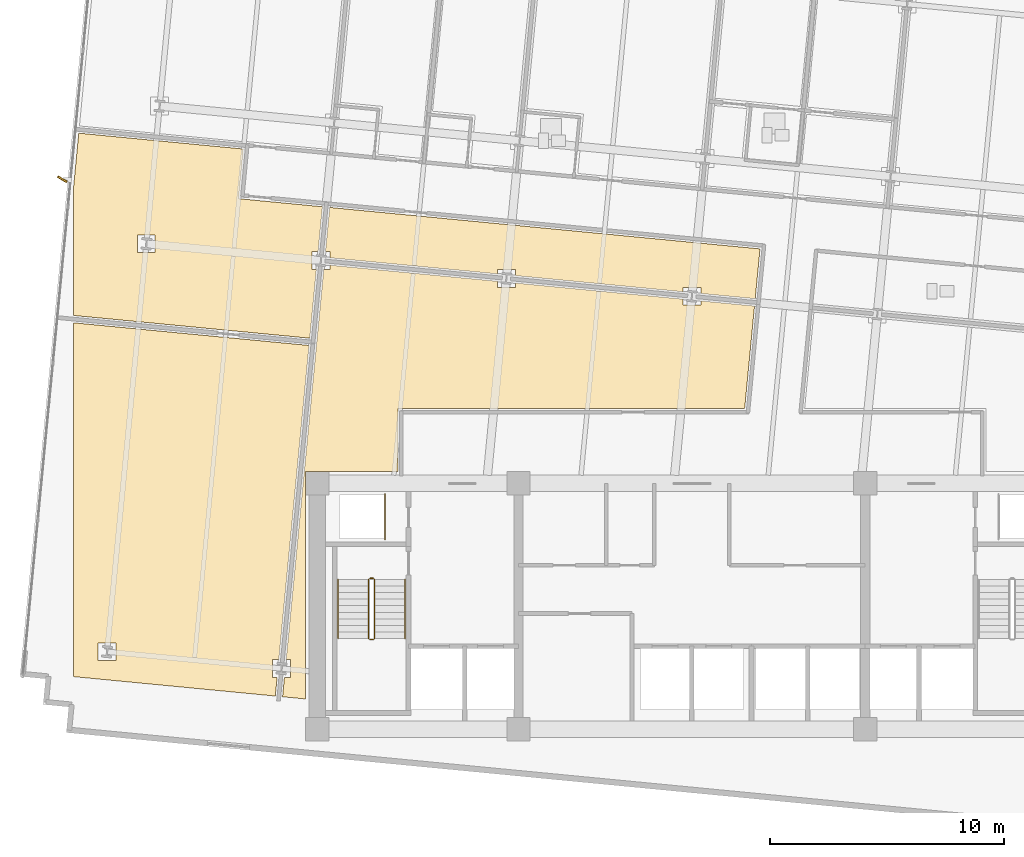
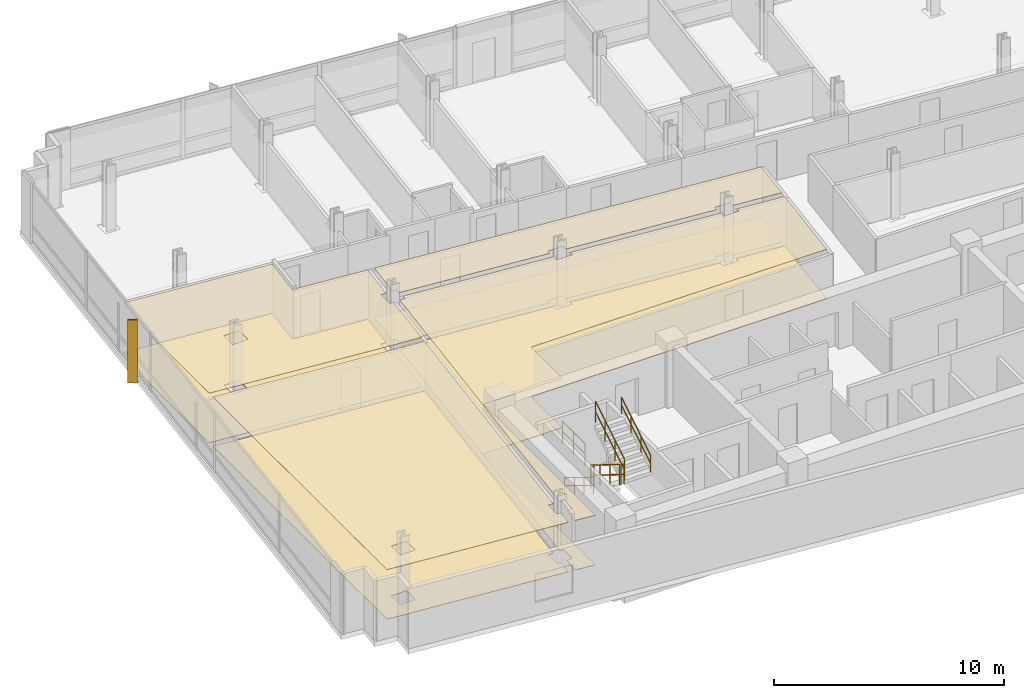
# One storey, part 14 of 17: 8 coverings, 7 railings, 1 shading device.
"""IFC4 building model written with IfcOpenShell, lengths in metres."""

from ifc_helpers import new_model, si_unit, direction, frame, origin, origin_2d, place, context, subcontext, project, spatial, polyline, rectangle, circle, outline, extrude, material, layer, layer_set, type_object, element, save


model = new_model("IFC4")

# Units and contexts
model_context = context("Model", 3, precision=1e-05, world=origin(), true_north=direction((0.0, 1.0)))
body_context = subcontext(model_context, "Body", "Model", "MODEL_VIEW")
ifc_project = project(units=[si_unit("LENGTHUNIT", "METRE"), si_unit("AREAUNIT", "SQUARE_METRE"), si_unit("VOLUMEUNIT", "CUBIC_METRE"), si_unit("PLANEANGLEUNIT", "RADIAN"), si_unit("MASSUNIT", "GRAM", prefix="KILO")], contexts=[model_context])

# Site, building, storey
site_placement = place(None, origin())
site = spatial("IfcSite", under=ifc_project, at=site_placement, CompositionType="ELEMENT")
building_placement = place(site_placement, origin())
building = spatial("IfcBuilding", under=site, at=building_placement, Name="Solmavex Isthmus Hotel", CompositionType="ELEMENT")
storey_placement = place(building_placement, frame((0.0, 0.0, 149.699951171875)))
storey = spatial("IfcBuildingStorey", under=building, at=storey_placement, Name="L40", CompositionType="ELEMENT", Elevation=149.699951171875)

# Coverings
ifc_material_1 = material(Name="Gypsum plasterboard lining", Category="gypsum")
ifc_layer_1 = layer(ifc_material_1, 0.030029296875)
ifc_layer_set_1 = layer_set([ifc_layer_1], Name="Gypsum plasterboard lining")
covering_type_1 = type_object("IfcCoveringType", Name="COV-CEIL-GYP", PredefinedType="CEILING", material=ifc_layer_set_1)
covering_1_placement = place(storey_placement, frame((0.0, 0.0, 2.6201171875)))
element("IfcCovering", 1, at=covering_1_placement, inside=storey, type_object=covering_type_1, Name="Suspended Acoustic Ceiling L40-FL08", PredefinedType="CEILING", context=body_context, shape_type="SweptSolid", body=[
    extrude(outline(polyline([(-0.378662109375, 5.6826171875), (-0.378662109375, 5.870361328125), (0.38134765625, 5.870361328125), (0.38134765625, 5.609375), (2.706787109375, 5.385498046875), (2.911865234375, 7.515625), (-15.463134765625, 9.284912109375), (-15.645263671875, 7.3955078125), (-15.45751953125, 7.3955078125), (-15.45751953125, 7.134521484375), (-8.298095703125, 6.445068359375), (-8.298095703125, 6.6328125), (-7.5380859375, 6.6328125), (-7.5380859375, 6.3720703125), (-0.378662109375, 5.6826171875)])), origin(), (0.0, 0.0, 1.0), 0.030029296875),
])
covering_2_placement = place(storey_placement, frame((0.0, 0.0, 2.6201171875)))
element("IfcCovering", 2, at=covering_2_placement, inside=storey, type_object=covering_type_1, Name="Suspended Acoustic Ceiling L40-FL10", PredefinedType="CEILING", context=body_context, shape_type="SweptSolid", body=[
    extrude(outline(polyline([(-16.02978515625, 6.635498046875), (-16.217529296875, 6.635498046875), (-16.217529296875, 7.3955078125), (-15.95654296875, 7.3955078125), (-15.771728515625, 9.314697265625), (-19.355224609375, 9.65966796875), (-19.151123046875, 11.780029296875), (-26.176513671875, 12.45654296875), (-26.39990234375, 10.135986328125), (-26.39990234375, 4.672119140625), (-16.312255859375, 3.70068359375), (-16.02978515625, 6.635498046875)]), holes=[polyline([(-23.6708984375, 7.35302734375), (-23.6708984375, 8.113037109375), (-22.910888671875, 8.113037109375), (-22.910888671875, 7.35302734375), (-23.6708984375, 7.35302734375)])]), origin(), (0.0, 0.0, 1.0), 0.030029296875),
])
covering_3_placement = place(storey_placement, frame((0.0, 0.0, 2.6201171875)))
element("IfcCovering", 3, at=covering_3_placement, inside=storey, type_object=covering_type_1, Name="Suspended Acoustic Ceiling L40-FL11", PredefinedType="CEILING", context=body_context, shape_type="SweptSolid", body=[
    extrude(outline(polyline([(-17.322509765625, -10.02392578125), (-17.134765625, -10.02392578125), (-17.134765625, -10.783935546875), (-17.395751953125, -10.783935546875), (-17.47509765625, -11.6083984375), (-16.5048828125, -11.70166015625), (-16.5048828125, -1.9951171875), (-12.554931640625, -1.9951171875), (-12.554931640625, 0.705078125), (2.256103515625, 0.705078125), (2.677001953125, 5.076904296875), (0.38134765625, 5.298095703125), (0.38134765625, 5.1103515625), (-0.378662109375, 5.1103515625), (-0.378662109375, 5.37109375), (-7.5380859375, 6.060546875), (-7.5380859375, 5.872802734375), (-8.298095703125, 5.872802734375), (-8.298095703125, 6.1337890625), (-15.45751953125, 6.822998046875), (-15.45751953125, 6.635498046875), (-15.71826171875, 6.635498046875), (-17.322509765625, -10.02392578125)])), origin(), (0.0, 0.0, 1.0), 0.030029296875),
])
covering_4_placement = place(storey_placement, frame((0.0, 0.0, 2.6201171875)))
element("IfcCovering", 4, at=covering_4_placement, inside=storey, type_object=covering_type_1, Name="Suspended Acoustic Ceiling L40-FL13", PredefinedType="CEILING", context=body_context, shape_type="SweptSolid", body=[
    extrude(outline(polyline([(-26.39990234375, 4.360595703125), (-26.39990234375, -10.7490234375), (-17.78369140625, -11.57861328125), (-17.70703125, -10.783935546875), (-17.894775390625, -10.783935546875), (-17.894775390625, -10.02392578125), (-17.6337890625, -10.02392578125), (-16.342041015625, 3.39208984375), (-26.39990234375, 4.360595703125)]), holes=[polyline([(-25.348388671875, -10.06640625), (-25.348388671875, -9.306396484375), (-24.58837890625, -9.306396484375), (-24.58837890625, -10.06640625), (-25.348388671875, -10.06640625)])]), origin(), (0.0, 0.0, 1.0), 0.030029296875),
])
ifc_material_2 = material(Name="Travertine natural stone", Category="masonry")
ifc_layer_2 = layer(ifc_material_2, 0.02490234375)
ifc_layer_set_2 = layer_set([ifc_layer_2], Name="Travertine natural stone")
covering_type_2 = type_object("IfcCoveringType", Name="COV-FLOR-STN", PredefinedType="FLOORING", material=ifc_layer_set_2)
covering_5_placement = place(storey_placement, origin())
element("IfcCovering", 5, at=covering_5_placement, inside=storey, type_object=covering_type_2, Name="Stone and Timber Floor Finish L40-FL08", PredefinedType="FLOORING", context=body_context, shape_type="SweptSolid", body=[
    extrude(outline(polyline([(-0.378662109375, 5.6826171875), (-0.378662109375, 5.870361328125), (0.38134765625, 5.870361328125), (0.38134765625, 5.609375), (2.706787109375, 5.385498046875), (2.911865234375, 7.515625), (-15.463134765625, 9.284912109375), (-15.645263671875, 7.3955078125), (-15.45751953125, 7.3955078125), (-15.45751953125, 7.134521484375), (-8.298095703125, 6.445068359375), (-8.298095703125, 6.6328125), (-7.5380859375, 6.6328125), (-7.5380859375, 6.3720703125), (-0.378662109375, 5.6826171875)])), origin(), (0.0, 0.0, 1.0), 0.025146484375),
])
covering_6_placement = place(storey_placement, origin())
element("IfcCovering", 6, at=covering_6_placement, inside=storey, type_object=covering_type_2, Name="Stone and Timber Floor Finish L40-FL10", PredefinedType="FLOORING", context=body_context, shape_type="SweptSolid", body=[
    extrude(outline(polyline([(-16.02978515625, 6.635498046875), (-16.217529296875, 6.635498046875), (-16.217529296875, 7.3955078125), (-15.95654296875, 7.3955078125), (-15.771728515625, 9.314697265625), (-19.355224609375, 9.65966796875), (-19.151123046875, 11.780029296875), (-26.176513671875, 12.45654296875), (-26.39990234375, 10.135986328125), (-26.39990234375, 4.672119140625), (-16.312255859375, 3.70068359375), (-16.02978515625, 6.635498046875)]), holes=[polyline([(-23.6708984375, 7.35302734375), (-23.6708984375, 8.113037109375), (-22.910888671875, 8.113037109375), (-22.910888671875, 7.35302734375), (-23.6708984375, 7.35302734375)])]), origin(), (0.0, 0.0, 1.0), 0.025146484375),
])
covering_7_placement = place(storey_placement, origin())
element("IfcCovering", 7, at=covering_7_placement, inside=storey, type_object=covering_type_2, Name="Stone and Timber Floor Finish L40-FL11", PredefinedType="FLOORING", context=body_context, shape_type="SweptSolid", body=[
    extrude(outline(polyline([(-17.322509765625, -10.02392578125), (-17.134765625, -10.02392578125), (-17.134765625, -10.783935546875), (-17.395751953125, -10.783935546875), (-17.47509765625, -11.6083984375), (-16.5048828125, -11.70166015625), (-16.5048828125, -1.9951171875), (-12.554931640625, -1.9951171875), (-12.554931640625, 0.705078125), (2.256103515625, 0.705078125), (2.677001953125, 5.076904296875), (0.38134765625, 5.298095703125), (0.38134765625, 5.1103515625), (-0.378662109375, 5.1103515625), (-0.378662109375, 5.37109375), (-7.5380859375, 6.060546875), (-7.5380859375, 5.872802734375), (-8.298095703125, 5.872802734375), (-8.298095703125, 6.1337890625), (-15.45751953125, 6.822998046875), (-15.45751953125, 6.635498046875), (-15.71826171875, 6.635498046875), (-17.322509765625, -10.02392578125)])), origin(), (0.0, 0.0, 1.0), 0.025146484375),
])
covering_8_placement = place(storey_placement, origin())
element("IfcCovering", 8, at=covering_8_placement, inside=storey, type_object=covering_type_2, Name="Stone and Timber Floor Finish L40-FL13", PredefinedType="FLOORING", context=body_context, shape_type="SweptSolid", body=[
    extrude(outline(polyline([(-26.39990234375, 4.360595703125), (-26.39990234375, -10.7490234375), (-17.78369140625, -11.57861328125), (-17.70703125, -10.783935546875), (-17.894775390625, -10.783935546875), (-17.894775390625, -10.02392578125), (-17.6337890625, -10.02392578125), (-16.342041015625, 3.39208984375), (-26.39990234375, 4.360595703125)]), holes=[polyline([(-25.348388671875, -10.06640625), (-25.348388671875, -9.306396484375), (-24.58837890625, -9.306396484375), (-24.58837890625, -10.06640625), (-25.348388671875, -10.06640625)])]), origin(), (0.0, 0.0, 1.0), 0.025146484375),
])

# Railings
ifc_material_3 = material(Name="Clear low-E laminated glass", Category="glass")
ifc_layer_3 = layer(ifc_material_3, 0.080078125)
ifc_layer_set_3 = layer_set([ifc_layer_3], Name="Clear low-E laminated glass")
railing_type_1 = type_object("IfcRailingType", Name="RAIL-ATRIUM-1120", PredefinedType="BALUSTRADE", material=ifc_layer_set_3)
railing_1_placement = place(storey_placement, frame((-13.10009765625, -4.89990234375, 0.0)))
element("IfcRailing", 9, at=railing_1_placement, inside=storey, type_object=railing_type_1, Name="Guardrail Balustrade L40-RSW-01", PredefinedType="BALUSTRADE", context=body_context, shape_type="SweptSolid", body=[
    extrude(circle(Radius=0.02392578125, at=origin_2d()), frame((0.0, 0.0, 1.1259765625), z_axis=(0.0, 1.0, 0.0), x_axis=(-1.0, 0.0, 0.0)), (0.0, 0.0, 1.0), 1.949951171875),
    extrude(circle(Radius=0.02392578125, at=origin_2d()), frame((0.0, 0.0, 0.574951171875), z_axis=(0.0, 1.0, 0.0), x_axis=(-1.0, 0.0, 0.0)), (0.0, 0.0, 1.0), 1.949951171875),
    extrude(circle(Radius=0.02099609375, at=origin_2d()), origin(), (0.0, 0.0, 1.0), 1.101806640625),
    extrude(circle(Radius=0.02099609375, at=origin_2d()), frame((0.0, 0.97509765625, 0.0)), (0.0, 0.0, 1.0), 1.101806640625),
    extrude(circle(Radius=0.02099609375, at=origin_2d()), frame((0.0, 1.949951171875, 0.0)), (0.0, 0.0, 1.0), 1.101806640625),
])
ifc_material_4 = material(Name="Stainless steel 316", Category="steel")
ifc_layer_4 = layer(ifc_material_4, 0.06005859375)
ifc_layer_set_4 = layer_set([ifc_layer_4], Name="Stainless steel 316")
railing_type_2 = type_object("IfcRailingType", Name="RAIL-STAIR-GD", PredefinedType="GUARDRAIL", material=ifc_layer_set_4)
railing_2_placement = place(storey_placement, frame((-13.800048828125, -6.60009765625, 0.172607421875)))
element("IfcRailing", 10, at=railing_2_placement, inside=storey, type_object=railing_type_2, Name="L40 ST-1 stair guard 1", PredefinedType="GUARDRAIL", context=body_context, shape_type="SweptSolid", body=[
    extrude(circle(Radius=0.02392578125, at=origin_2d()), frame((0.0, 0.0, 1.09619140625), z_axis=(0.0, -0.851400495292, 0.524516154772), x_axis=(1.0, 0.0, 0.0)), (0.0, 0.0, 1.0), 2.9599609375),
    extrude(circle(Radius=0.02392578125, at=origin_2d()), frame((0.0, 0.0, 0.56005859375), z_axis=(0.0, -0.851400495292, 0.524516154772), x_axis=(1.0, 0.0, 0.0)), (0.0, 0.0, 1.0), 2.9599609375),
    extrude(circle(Radius=0.02099609375, at=origin_2d()), origin(), (0.0, 0.0, 1.0), 1.072021484375),
    extrude(circle(Radius=0.02099609375, at=origin_2d()), frame((0.0, -0.840087890625, 0.517578125)), (0.0, 0.0, 1.0), 1.072021484375),
    extrude(circle(Radius=0.02099609375, at=origin_2d()), frame((0.0, -1.679931640625, 1.034912109375)), (0.0, 0.0, 1.0), 1.072021484375),
    extrude(circle(Radius=0.02099609375, at=origin_2d()), frame((0.0, -2.52001953125, 1.552490234375)), (0.0, 0.0, 1.0), 1.072021484375),
])
railing_3_placement = place(storey_placement, frame((-13.75, -9.169921875, 1.72509765625)))
element("IfcRailing", 11, at=railing_3_placement, inside=storey, type_object=railing_type_2, Name="L40 ST-1 stair guard 2", PredefinedType="GUARDRAIL", context=body_context, shape_type="SweptSolid", body=[
    extrude(circle(Radius=0.02392578125, at=origin_2d()), frame((0.0, 0.0, 1.09619140625), z_axis=(1.0, 0.0, 0.0), x_axis=(0.0, 1.0, 0.0)), (0.0, 0.0, 1.0), 0.14990234375),
    extrude(circle(Radius=0.02392578125, at=origin_2d()), frame((0.0, 0.0, 0.56005859375), z_axis=(1.0, 0.0, 0.0), x_axis=(0.0, 1.0, 0.0)), (0.0, 0.0, 1.0), 0.14990234375),
    extrude(circle(Radius=0.02099609375, at=origin_2d()), origin(), (0.0, 0.0, 1.0), 1.072021484375),
    extrude(circle(Radius=0.02099609375, at=origin_2d()), frame((0.14990234375, 0.0, 0.0)), (0.0, 0.0, 1.0), 1.072021484375),
])
railing_4_placement = place(storey_placement, frame((-13.550048828125, -9.1201171875, 1.8974609375)))
element("IfcRailing", 12, at=railing_4_placement, inside=storey, type_object=railing_type_2, Name="L40 ST-1 stair guard 3", PredefinedType="GUARDRAIL", context=body_context, shape_type="SweptSolid", body=[
    extrude(circle(Radius=0.02392578125, at=origin_2d()), frame((0.0, 0.0, 1.09619140625), z_axis=(0.0, 0.851400495292, 0.524516154772), x_axis=(-1.0, 0.0, 0.0)), (0.0, 0.0, 1.0), 2.9599609375),
    extrude(circle(Radius=0.02392578125, at=origin_2d()), frame((0.0, 0.0, 0.56005859375), z_axis=(0.0, 0.851400495292, 0.524516154772), x_axis=(-1.0, 0.0, 0.0)), (0.0, 0.0, 1.0), 2.9599609375),
    extrude(circle(Radius=0.02099609375, at=origin_2d()), origin(), (0.0, 0.0, 1.0), 1.072021484375),
    extrude(circle(Radius=0.02099609375, at=origin_2d()), frame((0.0, 0.840087890625, 0.517578125)), (0.0, 0.0, 1.0), 1.072021484375),
    extrude(circle(Radius=0.02099609375, at=origin_2d()), frame((0.0, 1.679931640625, 1.034912109375)), (0.0, 0.0, 1.0), 1.072021484375),
    extrude(circle(Radius=0.02099609375, at=origin_2d()), frame((0.0, 2.52001953125, 1.552490234375)), (0.0, 0.0, 1.0), 1.072021484375),
])
railing_5_placement = place(storey_placement, frame((-13.75, -6.550048828125, 0.0)))
element("IfcRailing", 13, at=railing_5_placement, inside=storey, type_object=railing_type_2, Name="L40 ST-1 stair guard 4", PredefinedType="GUARDRAIL", context=body_context, shape_type="SweptSolid", body=[
    extrude(circle(Radius=0.02392578125, at=origin_2d()), frame((0.0, 0.0, 1.09619140625), z_axis=(1.0, 0.0, 0.0), x_axis=(0.0, 1.0, 0.0)), (0.0, 0.0, 1.0), 0.14990234375),
    extrude(circle(Radius=0.02392578125, at=origin_2d()), frame((0.0, 0.0, 0.56005859375), z_axis=(1.0, 0.0, 0.0), x_axis=(0.0, 1.0, 0.0)), (0.0, 0.0, 1.0), 0.14990234375),
    extrude(circle(Radius=0.02099609375, at=origin_2d()), origin(), (0.0, 0.0, 1.0), 1.072021484375),
    extrude(circle(Radius=0.02099609375, at=origin_2d()), frame((0.14990234375, 0.0, 0.0)), (0.0, 0.0, 1.0), 1.072021484375),
])
ifc_layer_5 = layer(ifc_material_4, 0.050048828125)
ifc_layer_set_5 = layer_set([ifc_layer_5], Name="Stainless steel 316")
railing_type_3 = type_object("IfcRailingType", Name="RAIL-STAIR-HR", PredefinedType="HANDRAIL", material=ifc_layer_set_5)
railing_6_placement = place(storey_placement, frame((-15.10009765625, -6.60009765625, 0.172607421875)))
element("IfcRailing", 14, at=railing_6_placement, inside=storey, type_object=railing_type_3, Name="L40 ST-1 stair handrail 1", PredefinedType="HANDRAIL", context=body_context, shape_type="SweptSolid", body=[
    extrude(circle(Radius=0.02392578125, at=origin_2d()), frame((0.0, 0.0, 0.8759765625), z_axis=(0.0, -0.851400495292, 0.524516154772), x_axis=(1.0, 0.0, 0.0)), (0.0, 0.0, 1.0), 2.9599609375),
    extrude(circle(Radius=0.02392578125, at=origin_2d()), frame((0.0, 0.0, 0.449951171875), z_axis=(0.0, -0.851400495292, 0.524516154772), x_axis=(1.0, 0.0, 0.0)), (0.0, 0.0, 1.0), 2.9599609375),
    extrude(circle(Radius=0.02099609375, at=origin_2d()), origin(), (0.0, 0.0, 1.0), 0.851806640625),
    extrude(circle(Radius=0.02099609375, at=origin_2d()), frame((0.0, -0.840087890625, 0.517578125)), (0.0, 0.0, 1.0), 0.851806640625),
    extrude(circle(Radius=0.02099609375, at=origin_2d()), frame((0.0, -1.679931640625, 1.034912109375)), (0.0, 0.0, 1.0), 0.851806640625),
    extrude(circle(Radius=0.02099609375, at=origin_2d()), frame((0.0, -2.52001953125, 1.552490234375)), (0.0, 0.0, 1.0), 0.851806640625),
])
railing_7_placement = place(storey_placement, frame((-12.25, -9.1201171875, 1.8974609375)))
element("IfcRailing", 15, at=railing_7_placement, inside=storey, type_object=railing_type_3, Name="L40 ST-1 stair handrail 2", PredefinedType="HANDRAIL", context=body_context, shape_type="SweptSolid", body=[
    extrude(circle(Radius=0.02392578125, at=origin_2d()), frame((0.0, 0.0, 0.8759765625), z_axis=(0.0, 0.851400495292, 0.524516154772), x_axis=(-1.0, 0.0, 0.0)), (0.0, 0.0, 1.0), 2.9599609375),
    extrude(circle(Radius=0.02392578125, at=origin_2d()), frame((0.0, 0.0, 0.449951171875), z_axis=(0.0, 0.851400495292, 0.524516154772), x_axis=(-1.0, 0.0, 0.0)), (0.0, 0.0, 1.0), 2.9599609375),
    extrude(circle(Radius=0.02099609375, at=origin_2d()), origin(), (0.0, 0.0, 1.0), 0.851806640625),
    extrude(circle(Radius=0.02099609375, at=origin_2d()), frame((0.0, 0.840087890625, 0.517578125)), (0.0, 0.0, 1.0), 0.851806640625),
    extrude(circle(Radius=0.02099609375, at=origin_2d()), frame((0.0, 1.679931640625, 1.034912109375)), (0.0, 0.0, 1.0), 0.851806640625),
    extrude(circle(Radius=0.02099609375, at=origin_2d()), frame((0.0, 2.52001953125, 1.552490234375)), (0.0, 0.0, 1.0), 0.851806640625),
])

# Shading device
ifc_material_5 = material(Name="Aluminium alloy 6063-T6", Category="aluminium")
shading_device_type = type_object("IfcShadingDeviceType", Name="SHD-FIN-BRONZE", PredefinedType="USERDEFINED", material=ifc_material_5)
shading_device_placement = place(storey_placement, frame((-26.88330078125, 10.490234375, -0.139892578125), z_axis=(0.0, 0.0, 1.0), x_axis=(-0.87035569594, 0.492423560103, 0.0)))
element("IfcShadingDevice", 16, at=shading_device_placement, inside=storey, type_object=shading_device_type, Name="Anodised Aluminium Solar Fin L40-W1", ObjectType="SOLAR_FIN", PredefinedType="USERDEFINED", context=body_context, shape_type="SweptSolid", body=[
    extrude(rectangle(XDim=0.449951171875, YDim=0.080078125, at=origin_2d()), origin(), (0.0, 0.0, 1.0), 3.330078125),
])

save(model, "model.ifc")
